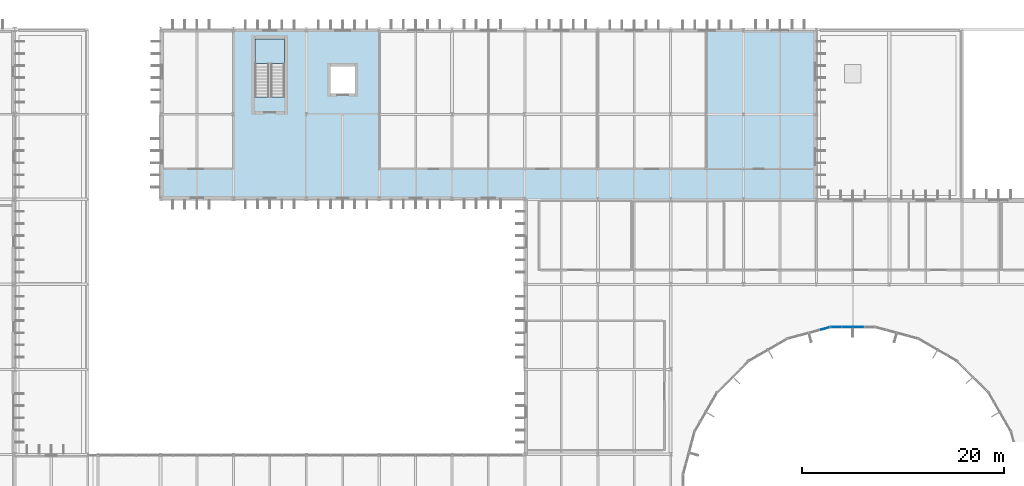
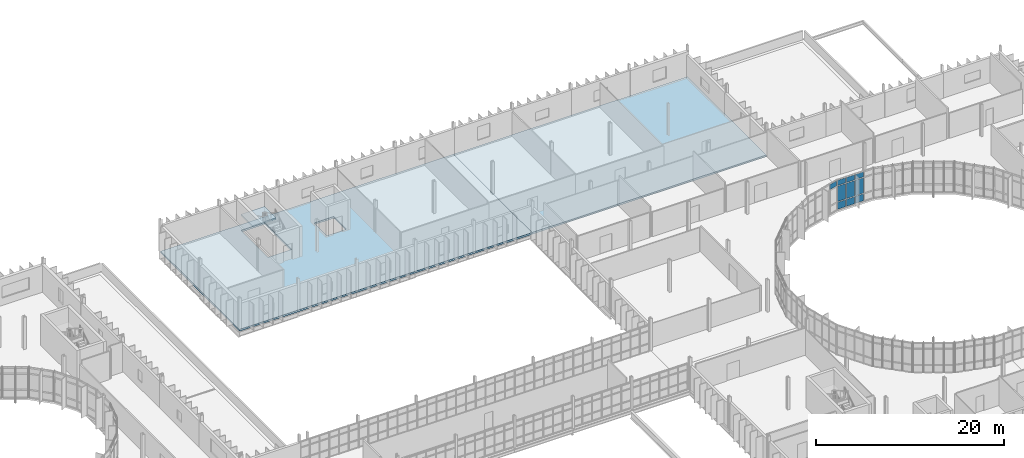
# One storey, part 65 of 99: 10 plates, 3 slabs, 3 elements without a shape of their own.
"""IFC4 building model written with IfcOpenShell, lengths in metres."""

import ifcopenshell
import ifcopenshell.guid

model = None  # the IFC model being written
_history = None  # IfcOwnerHistory: only IFC2X3 demands one
_inside = {}  # id of a spatial element -> (the spatial element, [elements in it])
_under = {}  # id of a project, library or spatial element -> (it, [spatial elements below it])
_declared = {}  # id of a project -> (the project, [libraries it declares])
_typed = {}  # id of a type object -> (the type object, [elements of that type])
_made_of = {}  # id of a material, layer set ... -> (it, [elements and type objects made of it])


def new_model(schema):
    """Start an empty IFC model of exactly this schema.

    Asked for "IFC4X3", IfcOpenShell would pick the latest addendum, in which some entities
    have other attributes; the version numbers below select the first issue.
    IFC2X3 requires an IfcOwnerHistory on every rooted entity: one is made here for all.
    """
    global model, _history
    if schema == "IFC4X3":
        model = ifcopenshell.file(schema_version=(4, 3, 0, 0))
    else:
        model = ifcopenshell.file(schema=schema)
    _inside.clear()
    _under.clear()
    _declared.clear()
    _typed.clear()
    _made_of.clear()
    _history = None
    if model.schema == "IFC2X3":
        org = make("IfcOrganization", Name="unknown")
        user = make(
            "IfcPersonAndOrganization",
            ThePerson=make("IfcPerson", FamilyName="unknown"),
            TheOrganization=org,
        )
        app = make(
            "IfcApplication",
            ApplicationDeveloper=org,
            Version="unknown",
            ApplicationFullName="unknown",
            ApplicationIdentifier="unknown",
        )
        _history = make(
            "IfcOwnerHistory",
            OwningUser=user,
            OwningApplication=app,
            ChangeAction="ADDED",
            CreationDate=0,
        )
    return model


def make(cls, **values):
    """One entity of the class cls with the attributes given. An attribute that is None is left unset."""
    return model.create_entity(
        cls, **{name: value for name, value in values.items() if value is not None}
    )


def rooted(cls, **values):
    """An entity with a GlobalId (a new one), such as an element, a storey or a relation."""
    return make(cls, GlobalId=ifcopenshell.guid.new(), OwnerHistory=_history, **values)


def si_unit(unit_type, name, prefix=None):
    """IfcSIUnit, for example si_unit("LENGTHUNIT", "METRE", prefix="MILLI")."""
    return make("IfcSIUnit", UnitType=unit_type, Prefix=prefix, Name=name)


def assignment(units):
    """IfcUnitAssignment: the units of a project."""
    return None if units is None else make("IfcUnitAssignment", Units=units)


def point(xyz):
    """IfcCartesianPoint."""
    return None if xyz is None else make("IfcCartesianPoint", Coordinates=xyz)


def direction(xyz):
    """IfcDirection."""
    return None if xyz is None else make("IfcDirection", DirectionRatios=xyz)


def frame(location, z_axis=None, x_axis=None):
    """IfcAxis2Placement3D, a coordinate frame: its origin and axes. An axis left out is left unset."""
    return make(
        "IfcAxis2Placement3D",
        Location=point(location),
        Axis=direction(z_axis),
        RefDirection=direction(x_axis),
    )


def frame_2d(location, x_axis=None):
    """IfcAxis2Placement2D, a coordinate frame in the plane: its origin and x axis."""
    return make(
        "IfcAxis2Placement2D", Location=point(location), RefDirection=direction(x_axis)
    )


def origin():
    """The frame at (0, 0, 0) with its axes left unset."""
    return frame((0.0, 0.0, 0.0))


def origin_2d():
    """The frame at (0, 0) in the plane with its x axis left unset."""
    return frame_2d((0.0, 0.0))


def place(relative_to, where):
    """IfcLocalPlacement: puts the frame where relative to a parent placement (None: the world)."""
    return make(
        "IfcLocalPlacement", PlacementRelTo=relative_to, RelativePlacement=where
    )


def context(
    kind, dimensions, precision=None, world=None, true_north=None, identifier=None
):
    """IfcGeometricRepresentationContext, for example the 3D "Model" context."""
    return make(
        "IfcGeometricRepresentationContext",
        ContextIdentifier=identifier,
        ContextType=kind,
        CoordinateSpaceDimension=dimensions,
        Precision=precision,
        WorldCoordinateSystem=world,
        TrueNorth=true_north,
    )


def subcontext(parent, identifier, kind, view, scale=None):
    """IfcGeometricRepresentationSubContext, for example "Body" below "Model"."""
    return make(
        "IfcGeometricRepresentationSubContext",
        ContextIdentifier=identifier,
        ContextType=kind,
        ParentContext=parent,
        TargetScale=scale,
        TargetView=view,
    )


def project(units=None, contexts=None):
    """IfcProject with its units and contexts."""
    return rooted(
        "IfcProject",
        Name="project",
        RepresentationContexts=contexts,
        UnitsInContext=assignment(units),
    )


def spatial(cls, under=None, at=None, **own):
    """A site, building, storey or space (cls), placed at a placement, below another one or the project."""
    s = rooted(cls, ObjectPlacement=at, **own)
    if under is not None:
        _under.setdefault(under.id(), (under, []))[1].append(s)
    return s


def polyline(points):
    """IfcPolyline through the points."""
    return make("IfcPolyline", Points=[point(p) for p in points])


def profile(cls, at=None, kind="AREA", **sizes):
    """A parametric profile (cls). Its sizes go by their IFC names, for example OverallWidth=200.0."""
    return make(cls, ProfileType=kind, Position=at, **sizes)


def rectangle(**sizes):
    """IfcRectangleProfileDef."""
    return profile("IfcRectangleProfileDef", **sizes)


def outline(outer, holes=None, kind="AREA"):
    """IfcArbitraryClosedProfileDef: a profile drawn as a closed curve; with holes, ...WithVoids."""
    if holes is None:
        return make("IfcArbitraryClosedProfileDef", ProfileType=kind, OuterCurve=outer)
    return make(
        "IfcArbitraryProfileDefWithVoids",
        ProfileType=kind,
        OuterCurve=outer,
        InnerCurves=holes,
    )


def extrude(swept, where, along, depth):
    """IfcExtrudedAreaSolid: the profile swept, set in the frame where, extruded along a direction by depth."""
    return make(
        "IfcExtrudedAreaSolid",
        SweptArea=swept,
        Position=where,
        ExtrudedDirection=direction(along),
        Depth=depth,
    )


def shape(context_of_items, identifier, shape_type, items):
    """IfcShapeRepresentation: the items that make up one representation, for example the "Body"."""
    return make(
        "IfcShapeRepresentation",
        ContextOfItems=context_of_items,
        RepresentationIdentifier=identifier,
        RepresentationType=shape_type,
        Items=items,
    )


def material(Name=None, Category=None):
    """IfcMaterial."""
    return make("IfcMaterial", Name=Name, Category=Category)


def layer(
    of_material, thickness, ventilated=None, Name=None, Category=None, Priority=None
):
    """IfcMaterialLayer: one layer of a wall or slab, of a material (None: an air gap)."""
    return make(
        "IfcMaterialLayer",
        Material=of_material,
        LayerThickness=thickness,
        IsVentilated=ventilated,
        Name=Name,
        Category=Category,
        Priority=Priority,
    )


def layer_set(layers, Name=None):
    """IfcMaterialLayerSet."""
    return make("IfcMaterialLayerSet", MaterialLayers=layers, LayerSetName=Name)


def made_of(thing, what):
    """Note that an element or type object is made of a material, layer set ...; save() writes the relation."""
    if what is not None:
        _made_of.setdefault(what.id(), (what, []))[1].append(thing)
    return thing


def type_object(cls, material=None, **own):
    """A type object (cls), such as IfcWallType, which elements share."""
    return made_of(rooted(cls, **own), material)


def element(
    cls,
    number,
    at=None,
    inside=None,
    cuts=None,
    type_object=None,
    material=None,
    context=None,
    identifier="Body",
    shape_type=None,
    held_by="IfcProductDefinitionShape",
    body=None,
    shapes=None,
    **own,
):
    """One element of the class cls, such as IfcWall. Its Tag is "e" and its number.

    at: its placement. inside: the storey or other place that contains it. cuts: it is an
    opening in that element (IfcRelVoidsElement). A single representation is given by context,
    identifier, shape_type and body (its items); several are given by shapes. held_by: the class
    of the entity that holds the representations. save() writes the other relations.
    """
    e = rooted(cls, Tag="e%d" % number, ObjectPlacement=at, **own)
    if body is not None:
        shapes = [shape(context, identifier, shape_type, body)]
    if shapes is not None:
        e.Representation = make(held_by, Representations=shapes)
    if inside is not None:
        _inside.setdefault(inside.id(), (inside, []))[1].append(e)
    if cuts is not None:
        rooted(
            "IfcRelVoidsElement", RelatingBuildingElement=cuts, RelatedOpeningElement=e
        )
    if type_object is not None:
        _typed.setdefault(type_object.id(), (type_object, []))[1].append(e)
    return made_of(e, material)


def aggregate(whole, parts):
    """IfcRelAggregates: a whole, such as a stair, and the parts it consists of."""
    return rooted("IfcRelAggregates", RelatingObject=whole, RelatedObjects=parts)


def save(model, path):
    """Write the relations noted so far, then the file.

    IfcRelAggregates (storeys below a building ...), IfcRelContainedInSpatialStructure (elements
    in a storey), IfcRelDefinesByType, IfcRelAssociatesMaterial and IfcRelDeclares: one each for
    every whole, place, type object, material and project.
    """
    for whole, parts in _under.values():
        aggregate(whole, parts)
    for where, things in _inside.values():
        rooted(
            "IfcRelContainedInSpatialStructure",
            RelatedElements=things,
            RelatingStructure=where,
        )
    for kind, things in _typed.values():
        rooted("IfcRelDefinesByType", RelatedObjects=things, RelatingType=kind)
    for what, things in _made_of.values():
        rooted("IfcRelAssociatesMaterial", RelatedObjects=things, RelatingMaterial=what)
    for by, libraries in _declared.values():
        rooted("IfcRelDeclares", RelatingContext=by, RelatedDefinitions=libraries)
    model.write(path)


model = new_model("IFC4")

# Units and contexts
model_context = context("Model", 3, precision=1e-05, world=origin(), true_north=direction((0.0, 1.0)))
body_context = subcontext(model_context, "Body", "Model", "MODEL_VIEW")
ifc_project = project(units=[si_unit("LENGTHUNIT", "METRE"), si_unit("AREAUNIT", "SQUARE_METRE"), si_unit("VOLUMEUNIT", "CUBIC_METRE"), si_unit("PLANEANGLEUNIT", "RADIAN"), si_unit("MASSUNIT", "GRAM", prefix="KILO")], contexts=[model_context])

# Site, building, storey
site_placement = place(None, origin())
site = spatial("IfcSite", under=ifc_project, at=site_placement, CompositionType="ELEMENT")
building_placement = place(site_placement, origin())
building = spatial("IfcBuilding", under=site, at=building_placement, Name="Qelthora Terrace Specialist Clinic", CompositionType="ELEMENT")
storey_placement = place(building_placement, frame((0.0, 0.0, 9.0)))
storey = spatial("IfcBuildingStorey", under=building, at=storey_placement, Name="L02", CompositionType="ELEMENT", Elevation=9.0)

# Curtain wall, plates
ifc_material_1 = material(Name="Aluminium anodized bronze", Category="aluminium")
curtain_wall_type = type_object("IfcCurtainWallType", Name="CW-CRTE-UPP", PredefinedType="NOTDEFINED", material=ifc_material_1)
curtain_wall_1_placement = place(storey_placement, origin())
curtain_wall_1 = element("IfcCurtainWall", 1, at=curtain_wall_1_placement, inside=storey, type_object=curtain_wall_type, Name="Curtain wall CW-CE-L02-06", PredefinedType="NOTDEFINED")
ifc_material_2 = material(Name="Low-E triple-silver insulating glass", Category="glass")
ifc_layer_1 = layer(ifc_material_2, 0.035888671875)
ifc_layer_set_1 = layer_set([ifc_layer_1], Name="Low-E triple-silver insulating glass")
plate_type = type_object("IfcPlateType", Name="CWP-IGU-36", PredefinedType="CURTAIN_PANEL", material=ifc_layer_set_1)
plate_1_placement = place(storey_placement, frame((126.548095703125, 79.7763671875, 0.0849609375), z_axis=(0.0, 0.0, 1.0), x_axis=(-1.0, 0.0, 0.0)))
plate_1 = element("IfcPlate", 2, at=plate_1_placement, type_object=plate_type, Name="CW-CE-L02-06 glazed panel 4", PredefinedType="CURTAIN_PANEL", context=body_context, shape_type="SweptSolid", body=[
    extrude(rectangle(XDim=0.996337890625, YDim=0.035888671875, at=origin_2d()), origin(), (0.0, 0.0, 1.0), 0.919921875),
])
plate_2_placement = place(storey_placement, frame((126.548095703125, 79.7763671875, 1.094970703125), z_axis=(0.0, 0.0, 1.0), x_axis=(-1.0, 0.0, 0.0)))
plate_2 = element("IfcPlate", 3, at=plate_2_placement, type_object=plate_type, Name="CW-CE-L02-06 glazed panel 5", PredefinedType="CURTAIN_PANEL", context=body_context, shape_type="SweptSolid", body=[
    extrude(rectangle(XDim=0.996337890625, YDim=0.035888671875, at=origin_2d()), origin(), (0.0, 0.0, 1.0), 2.0048828125),
])
plate_3_placement = place(storey_placement, frame((126.548095703125, 79.7763671875, 3.18994140625), z_axis=(0.0, 0.0, 1.0), x_axis=(-1.0, 0.0, 0.0)))
plate_3 = element("IfcPlate", 4, at=plate_3_placement, type_object=plate_type, Name="CW-CE-L02-06 glazed panel 6", PredefinedType="CURTAIN_PANEL", context=body_context, shape_type="SweptSolid", body=[
    extrude(rectangle(XDim=0.996337890625, YDim=0.035888671875, at=origin_2d()), origin(), (0.0, 0.0, 1.0), 0.669921875),
])
plate_4_placement = place(storey_placement, frame((125.451904296875, 79.7763671875, 0.0849609375), z_axis=(0.0, 0.0, 1.0), x_axis=(-1.0, 0.0, 0.0)))
plate_4 = element("IfcPlate", 5, at=plate_4_placement, type_object=plate_type, Name="CW-CE-L02-06 glazed panel 7", PredefinedType="CURTAIN_PANEL", context=body_context, shape_type="SweptSolid", body=[
    extrude(rectangle(XDim=0.996337890625, YDim=0.035888671875, at=origin_2d()), origin(), (0.0, 0.0, 1.0), 0.919921875),
])
plate_5_placement = place(storey_placement, frame((125.451904296875, 79.7763671875, 1.094970703125), z_axis=(0.0, 0.0, 1.0), x_axis=(-1.0, 0.0, 0.0)))
plate_5 = element("IfcPlate", 6, at=plate_5_placement, type_object=plate_type, Name="CW-CE-L02-06 glazed panel 8", PredefinedType="CURTAIN_PANEL", context=body_context, shape_type="SweptSolid", body=[
    extrude(rectangle(XDim=0.996337890625, YDim=0.035888671875, at=origin_2d()), origin(), (0.0, 0.0, 1.0), 2.0048828125),
])
plate_6_placement = place(storey_placement, frame((125.451904296875, 79.7763671875, 3.18994140625), z_axis=(0.0, 0.0, 1.0), x_axis=(-1.0, 0.0, 0.0)))
plate_6 = element("IfcPlate", 7, at=plate_6_placement, type_object=plate_type, Name="CW-CE-L02-06 glazed panel 9", PredefinedType="CURTAIN_PANEL", context=body_context, shape_type="SweptSolid", body=[
    extrude(rectangle(XDim=0.996337890625, YDim=0.035888671875, at=origin_2d()), origin(), (0.0, 0.0, 1.0), 0.669921875),
])
plate_7_placement = place(storey_placement, frame((124.35546875, 79.7763671875, 0.0849609375), z_axis=(0.0, 0.0, 1.0), x_axis=(-1.0, 0.0, 0.0)))
plate_7 = element("IfcPlate", 8, at=plate_7_placement, type_object=plate_type, Name="CW-CE-L02-06 glazed panel 10", PredefinedType="CURTAIN_PANEL", context=body_context, shape_type="SweptSolid", body=[
    extrude(rectangle(XDim=0.996337890625, YDim=0.035888671875, at=origin_2d()), origin(), (0.0, 0.0, 1.0), 0.919921875),
])
plate_8_placement = place(storey_placement, frame((124.35546875, 79.7763671875, 1.094970703125), z_axis=(0.0, 0.0, 1.0), x_axis=(-1.0, 0.0, 0.0)))
plate_8 = element("IfcPlate", 9, at=plate_8_placement, type_object=plate_type, Name="CW-CE-L02-06 glazed panel 11", PredefinedType="CURTAIN_PANEL", context=body_context, shape_type="SweptSolid", body=[
    extrude(rectangle(XDim=0.996337890625, YDim=0.035888671875, at=origin_2d()), origin(), (0.0, 0.0, 1.0), 2.0048828125),
])
plate_9_placement = place(storey_placement, frame((124.35546875, 79.7763671875, 3.18994140625), z_axis=(0.0, 0.0, 1.0), x_axis=(-1.0, 0.0, 0.0)))
plate_9 = element("IfcPlate", 10, at=plate_9_placement, type_object=plate_type, Name="CW-CE-L02-06 glazed panel 12", PredefinedType="CURTAIN_PANEL", context=body_context, shape_type="SweptSolid", body=[
    extrude(rectangle(XDim=0.996337890625, YDim=0.035888671875, at=origin_2d()), origin(), (0.0, 0.0, 1.0), 0.669921875),
])
aggregate(curtain_wall_1, [plate_1, plate_2, plate_3, plate_4, plate_5, plate_6, plate_7, plate_8, plate_9])

# Curtain wall, plate
curtain_wall_2_placement = place(storey_placement, origin())
curtain_wall_2 = element("IfcCurtainWall", 11, at=curtain_wall_2_placement, inside=storey, type_object=curtain_wall_type, Name="Curtain wall CW-CE-L02-07", PredefinedType="NOTDEFINED")
plate_10_placement = place(storey_placement, frame((123.24658203125, 79.63037109375, 3.18994140625), z_axis=(0.0, 0.0, 1.0), x_axis=(-0.965925826289, -0.258819045103, 0.0)))
plate_10 = element("IfcPlate", 12, at=plate_10_placement, type_object=plate_type, Name="CW-CE-L02-07 glazed panel 3", PredefinedType="CURTAIN_PANEL", context=body_context, shape_type="SweptSolid", body=[
    extrude(rectangle(XDim=0.996337890625, YDim=0.035888671875, at=origin_2d()), origin(), (0.0, 0.0, 1.0), 0.669921875),
])
aggregate(curtain_wall_2, [plate_10])

# Slabs
ifc_material_3 = material(Name="Concrete C30/37", Category="concrete")
ifc_layer_2 = layer(ifc_material_3, 0.22998046875)
ifc_layer_set_2 = layer_set([ifc_layer_2], Name="Concrete C30/37")
slab_type_1 = type_object("IfcSlabType", Name="SLB-LAB-230-C30", PredefinedType="FLOOR", material=ifc_layer_set_2)
slab_1_placement = place(storey_placement, frame((0.0, 0.0, -0.22998046875)))
element("IfcSlab", 13, at=slab_1_placement, inside=storey, type_object=slab_type_1, Name="L02 V6 slab SLB-L02-V6A", PredefinedType="FLOOR", context=body_context, shape_type="SweptSolid", body=[
    extrude(outline(polyline([(57.60009765625, 109.199951171875), (93.60009765625, 109.199951171875), (93.60009765625, 92.39990234375), (57.60009765625, 92.39990234375), (57.60009765625, 109.199951171875)]), holes=[polyline([(76.800048828125, 102.85009765625), (76.800048828125, 105.550048828125), (74.39990234375, 105.550048828125), (74.39990234375, 102.85009765625), (76.800048828125, 102.85009765625)]), polyline([(69.85009765625, 102.50048828125), (69.85009765625, 108.25), (66.949951171875, 108.25), (66.949951171875, 102.50048828125), (69.85009765625, 102.50048828125)])]), origin(), (0.0, 0.0, 1.0), 0.22998046875),
])
slab_2_placement = place(storey_placement, frame((0.0, 0.0, -0.22998046875)))
element("IfcSlab", 14, at=slab_2_placement, inside=storey, type_object=slab_type_1, Name="L02 V6 slab SLB-L02-V6B", PredefinedType="FLOOR", context=body_context, shape_type="SweptSolid", body=[
    extrude(outline(polyline([(93.60009765625, 109.199951171875), (122.39990234375, 109.199951171875), (122.39990234375, 92.39990234375), (93.60009765625, 92.39990234375), (93.60009765625, 109.199951171875)])), origin(), (0.0, 0.0, 1.0), 0.22998046875),
])

# Stair, slab
stair_type = type_object("IfcStairType", Name="STR-175-300", PredefinedType="HALF_TURN_STAIR", material=ifc_material_3)
stair_placement = place(storey_placement, origin())
stair = element("IfcStair", 15, at=stair_placement, inside=storey, type_object=stair_type, Name="L02 Enclosed Exit Stair ST-07", PredefinedType="HALF_TURN_STAIR")
ifc_layer_3 = layer(ifc_material_3, 0.199951171875)
ifc_layer_set_3 = layer_set([ifc_layer_3], Name="Concrete C30/37")
slab_type_2 = type_object("IfcSlabType", Name="SLB-LAND-200-C30", PredefinedType="LANDING", material=ifc_layer_set_3)
slab_3_placement = place(storey_placement, frame((0.0, 0.0, 1.89990234375)))
slab_3 = element("IfcSlab", 16, at=slab_3_placement, type_object=slab_type_2, Name="ST-07 landing 1", PredefinedType="LANDING", context=body_context, shape_type="SweptSolid", body=[
    extrude(outline(polyline([(69.85009765625, 105.800048828125), (69.85009765625, 108.25), (66.949951171875, 108.25), (66.949951171875, 105.800048828125), (69.85009765625, 105.800048828125)])), origin(), (0.0, 0.0, 1.0), 0.2001953125),
])
aggregate(stair, [slab_3])

save(model, "model.ifc")
